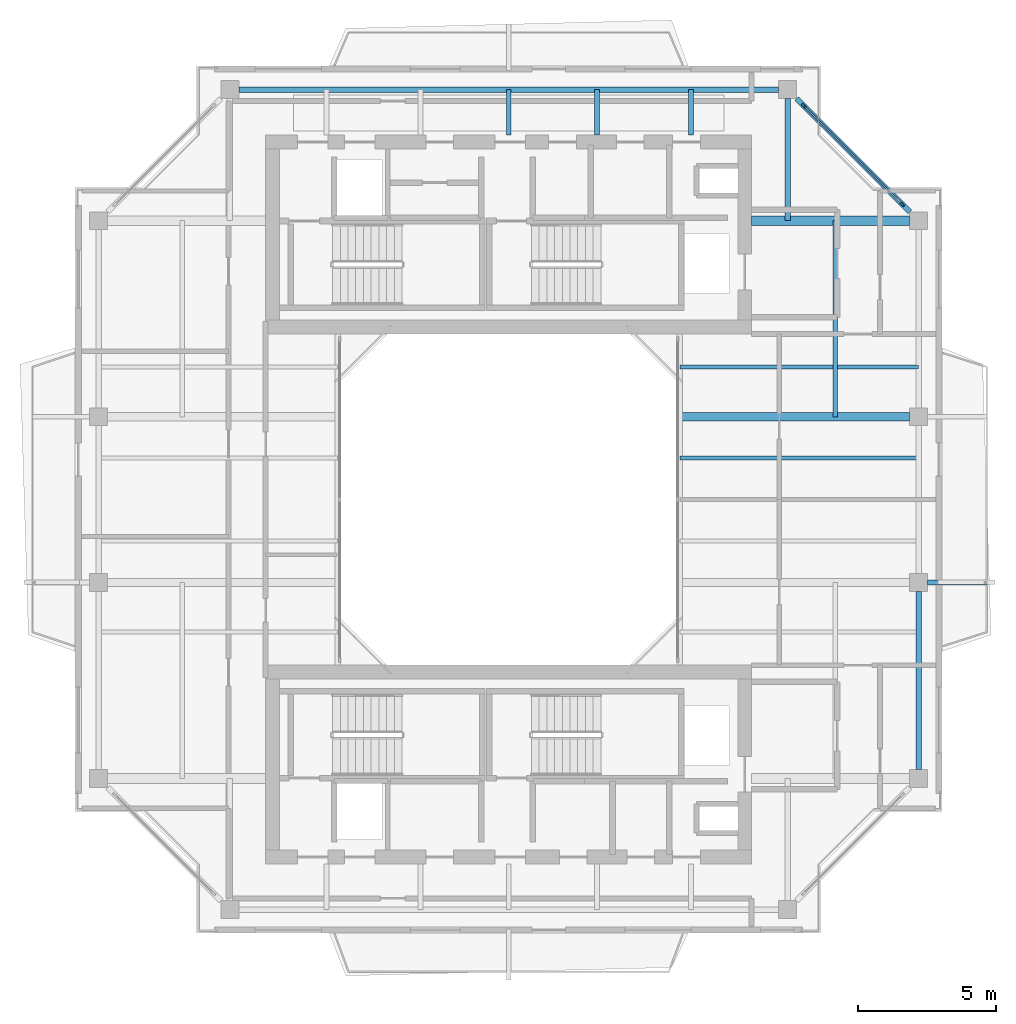
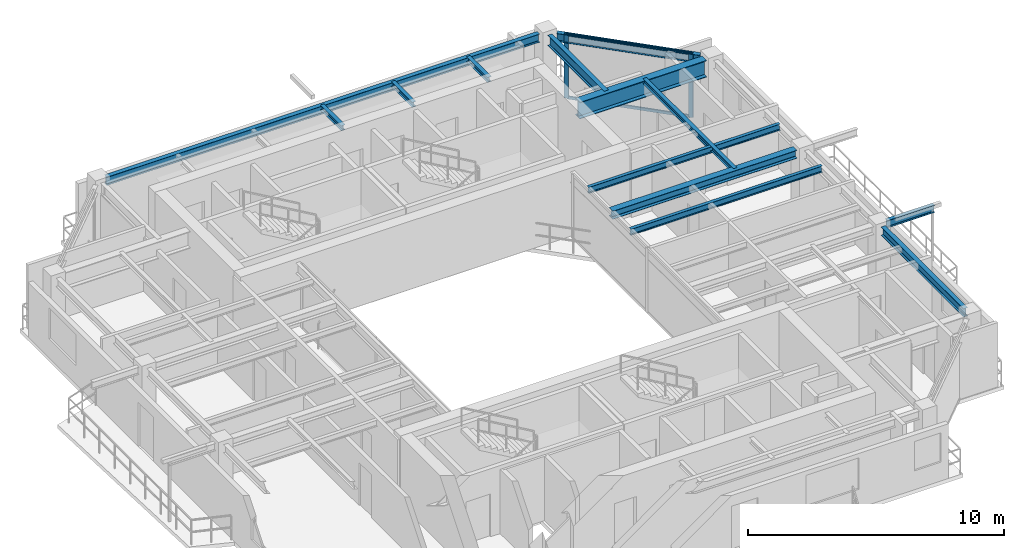
# One storey, part 6 of 14: 13 beams, 4 members, 1 element without a shape of its own.
"""IFC4 building model written with IfcOpenShell, lengths in metres."""

from ifc_helpers import new_model, si_unit, direction, frame, origin, origin_2d, place, context, subcontext, project, spatial, rectangle, i_section, extrude, source, transform, mapped, material, layer, layer_set, material_profile, profile_set, type_object, element, aggregate, save


model = new_model("IFC4")

# Units and contexts
model_context = context("Model", 3, precision=1e-05, world=origin(), true_north=direction((0.0, 1.0)))
body_context = subcontext(model_context, "Body", "Model", "MODEL_VIEW")
ifc_project = project(units=[si_unit("LENGTHUNIT", "METRE"), si_unit("AREAUNIT", "SQUARE_METRE"), si_unit("VOLUMEUNIT", "CUBIC_METRE"), si_unit("PLANEANGLEUNIT", "RADIAN"), si_unit("MASSUNIT", "GRAM", prefix="KILO"), si_unit("THERMODYNAMICTEMPERATUREUNIT", "KELVIN"), si_unit("POWERUNIT", "WATT")], contexts=[model_context])

# Site, building, storey
site_placement = place(None, origin())
site = spatial("IfcSite", under=ifc_project, at=site_placement, CompositionType="ELEMENT")
building_placement = place(site_placement, origin())
building = spatial("IfcBuilding", under=site, at=building_placement, Name="Qiaomeng Ring Towers", CompositionType="ELEMENT")
storey_placement = place(building_placement, frame((0.0, 0.0, 240.5)))
storey = spatial("IfcBuildingStorey", under=building, at=storey_placement, Name="L70", CompositionType="ELEMENT", Elevation=240.5)

# Beams
ifc_material_1 = material(Name="Steel Q355B", Category="steel")
ifc_material_profile_1 = material_profile(ifc_material_1, i_section(OverallWidth=0.198974609375, OverallDepth=0.39599609375, WebThickness=0.007080078125, FlangeThickness=0.010986328125, FilletRadius=0.01611328125, at=origin_2d()), Name="HN 396x199x7x11")
ifc_profile_set_1 = profile_set([ifc_material_profile_1], Name="Steel Q355B")
beam_type_1 = type_object("IfcBeamType", Name="STR-BM-HN396", PredefinedType="SPANDREL", material=ifc_profile_set_1)
shared_shape_1 = source(origin(), body_context, "Body", "SweptSolid", [
    extrude(i_section(OverallWidth=0.198974609375, OverallDepth=0.39599609375, WebThickness=0.007080078125, FlangeThickness=0.010986328125, FilletRadius=0.01611328125, at=origin_2d()), origin(), (0.0, 0.0, 1.0), 19.5517578125),
])
beam_1_placement = place(storey_placement, frame((28.77587890625, 37.85009765625, 2.8720703125), z_axis=(-1.0, 0.0, 0.0), x_axis=(0.0, -1.0, 0.0)))
element("IfcBeam", 1, at=beam_1_placement, inside=storey, type_object=beam_type_1, Name="L70 beam STR-SP-L70-T1-N2-N1", PredefinedType="SPANDREL", context=body_context, shape_type="MappedRepresentation", body=[
    mapped(shared_shape_1, transform((0.0, 0.0, 0.0), x_axis=(1.0, 0.0, 0.0), y_axis=(0.0, 1.0, 0.0), z_axis=(0.0, 0.0, 1.0), scale=1.0)),
])
shared_shape_2 = source(origin(), body_context, "Body", "SweptSolid", [
    extrude(i_section(OverallWidth=0.198974609375, OverallDepth=0.39599609375, WebThickness=0.007080078125, FlangeThickness=0.010986328125, FilletRadius=0.01611328125, at=origin_2d()), origin(), (0.0, 0.0, 1.0), 5.800048828125),
])
beam_2_placement = place(storey_placement, frame((33.525634765625, 33.42431640625, 2.8720703125), z_axis=(-0.707106781187, 0.707106781187, 0.0), x_axis=(-0.707106781187, -0.707106781187, 0.0)))
element("IfcBeam", 2, at=beam_2_placement, inside=storey, type_object=beam_type_1, Name="L70 beam STR-SP-L70-T1-E4-N2", PredefinedType="SPANDREL", context=body_context, shape_type="MappedRepresentation", body=[
    mapped(shared_shape_2, transform((0.0, 0.0, 0.0), x_axis=(1.0, 0.0, 0.0), y_axis=(0.0, 1.0, 0.0), z_axis=(0.0, 0.0, 1.0), scale=1.0)),
])
shared_shape_3 = source(origin(), body_context, "Body", "SweptSolid", [
    extrude(i_section(OverallWidth=0.198974609375, OverallDepth=0.39599609375, WebThickness=0.007080078125, FlangeThickness=0.010986328125, FilletRadius=0.01611328125, at=origin_2d()), origin(), (0.0, 0.0, 1.0), 6.451904296875),
])
beam_3_placement = place(storey_placement, frame((33.85009765625, 13.22412109375, 2.8720703125), z_axis=(0.0, 1.0, 0.0), x_axis=(-1.0, 0.0, 0.0)))
element("IfcBeam", 3, at=beam_3_placement, inside=storey, type_object=beam_type_1, Name="L70 beam STR-SP-L70-T1-E1-E2", PredefinedType="SPANDREL", context=body_context, shape_type="MappedRepresentation", body=[
    mapped(shared_shape_3, transform((0.0, 0.0, 0.0), x_axis=(1.0, 0.0, 0.0), y_axis=(0.0, 1.0, 0.0), z_axis=(0.0, 0.0, 1.0), scale=1.0)),
])
ifc_material_2 = material(Name="Steel Q390GJC", Category="steel")
ifc_material_profile_2 = material_profile(ifc_material_2, i_section(OverallWidth=0.35009765625, OverallDepth=0.800048828125, WebThickness=0.01611328125, FlangeThickness=0.028076171875, at=origin_2d()), Name="WH 800x350x16x28")
ifc_profile_set_2 = profile_set([ifc_material_profile_2], Name="Steel Q390GJC")
beam_type_2 = type_object("IfcBeamType", Name="STR-BM-WH800", PredefinedType="BEAM", material=ifc_profile_set_2)
shared_shape_4 = source(origin(), body_context, "Body", "SweptSolid", [
    extrude(i_section(OverallWidth=0.35009765625, OverallDepth=0.800048828125, WebThickness=0.01611328125, FlangeThickness=0.028076171875, at=origin_2d()), origin(), (0.0, 0.0, 1.0), 5.725830078125),
])
beam_4_placement = place(storey_placement, frame((27.800048828125, 33.10009765625, 2.669921875), z_axis=(1.0, 0.0, 0.0), x_axis=(0.0, 1.0, 0.0)))
element("IfcBeam", 4, at=beam_4_placement, inside=storey, type_object=beam_type_2, Name="L70 beam STR-BM-L70-T1-RAD-E4", PredefinedType="BEAM", context=body_context, shape_type="MappedRepresentation", body=[
    mapped(shared_shape_4, transform((0.0, 0.0, 0.0), x_axis=(1.0, 0.0, 0.0), y_axis=(0.0, 1.0, 0.0), z_axis=(0.0, 0.0, 1.0), scale=1.0)),
])
ifc_material_profile_3 = material_profile(ifc_material_1, i_section(OverallWidth=0.198974609375, OverallDepth=0.49609375, WebThickness=0.009033203125, FlangeThickness=0.013916015625, FilletRadius=0.01806640625, at=origin_2d()), Name="HN 496x199x9x14")
ifc_profile_set_3 = profile_set([ifc_material_profile_3], Name="Steel Q355B")
beam_type_3 = type_object("IfcBeamType", Name="STR-BM-HN496", PredefinedType="BEAM", material=ifc_profile_set_3)
shared_shape_5 = source(origin(), body_context, "Body", "SweptSolid", [
    extrude(i_section(OverallWidth=0.198974609375, OverallDepth=0.49609375, WebThickness=0.009033203125, FlangeThickness=0.013916015625, FilletRadius=0.01806640625, at=origin_2d()), origin(), (0.0, 0.0, 1.0), 4.42578125),
])
beam_5_placement = place(storey_placement, frame((29.10009765625, 37.52587890625, 2.822021484375), z_axis=(0.0, -1.0, 0.0), x_axis=(1.0, 0.0, 0.0)))
element("IfcBeam", 5, at=beam_5_placement, inside=storey, type_object=beam_type_3, Name="L70 beam STR-BM-L70-T1-RAD-N2", PredefinedType="BEAM", context=body_context, shape_type="MappedRepresentation", body=[
    mapped(shared_shape_5, transform((0.0, 0.0, 0.0), x_axis=(1.0, 0.0, 0.0), y_axis=(0.0, 1.0, 0.0), z_axis=(0.0, 0.0, 1.0), scale=1.0)),
])
ifc_material_profile_4 = material_profile(ifc_material_1, i_section(OverallWidth=0.300048828125, OverallDepth=0.389892578125, WebThickness=0.010009765625, FlangeThickness=0.01611328125, FilletRadius=0.02197265625, at=origin_2d()), Name="HM 390x300x10x16")
ifc_profile_set_4 = profile_set([ifc_material_profile_4], Name="Steel Q355B")
beam_type_4 = type_object("IfcBeamType", Name="STR-BM-HM390", PredefinedType="BEAM", material=ifc_profile_set_4)
shared_shape_6 = source(origin(), body_context, "Body", "SweptSolid", [
    extrude(i_section(OverallWidth=0.300048828125, OverallDepth=0.389892578125, WebThickness=0.010009765625, FlangeThickness=0.01611328125, FilletRadius=0.02197265625, at=origin_2d()), origin(), (0.0, 0.0, 1.0), 8.325927734375),
])
beam_6_placement = place(storey_placement, frame((25.199951171875, 26.0, 2.875), z_axis=(1.0, 0.0, 0.0), x_axis=(0.0, 1.0, 0.0)))
element("IfcBeam", 6, at=beam_6_placement, inside=storey, type_object=beam_type_4, Name="L70 beam STR-BM-L70-T1-RAD-E3", PredefinedType="BEAM", context=body_context, shape_type="MappedRepresentation", body=[
    mapped(shared_shape_6, transform((0.0, 0.0, 0.0), x_axis=(1.0, 0.0, 0.0), y_axis=(0.0, 1.0, 0.0), z_axis=(0.0, 0.0, 1.0), scale=1.0)),
])
ifc_material_profile_5 = material_profile(ifc_material_1, i_section(OverallWidth=0.175048828125, OverallDepth=0.35009765625, WebThickness=0.007080078125, FlangeThickness=0.010986328125, FilletRadius=0.013916015625, at=origin_2d()), Name="HN 350x175x7x11")
ifc_profile_set_5 = profile_set([ifc_material_profile_5], Name="Steel Q355B")
beam_type_5 = type_object("IfcBeamType", Name="STR-BM-HN350", PredefinedType="JOIST", material=ifc_profile_set_5)
shared_shape_7 = source(origin(), body_context, "Body", "SweptSolid", [
    extrude(i_section(OverallWidth=0.175048828125, OverallDepth=0.35009765625, WebThickness=0.007080078125, FlangeThickness=0.010986328125, FilletRadius=0.013916015625, at=origin_2d()), origin(), (0.0, 0.0, 1.0), 2.14599609375),
])
beam_7_placement = place(storey_placement, frame((34.174072265625, 20.0, 2.89501953125), z_axis=(1.0, 0.0, 0.0), x_axis=(0.0, 1.0, 0.0)))
element("IfcBeam", 7, at=beam_7_placement, inside=storey, type_object=beam_type_5, Name="L70 beam STR-BALBM-L70-E2", PredefinedType="JOIST", context=body_context, shape_type="MappedRepresentation", body=[
    mapped(shared_shape_7, transform((0.0, 0.0, 0.0), x_axis=(1.0, 0.0, 0.0), y_axis=(0.0, 1.0, 0.0), z_axis=(0.0, 0.0, 1.0), scale=1.0)),
])
ifc_material_profile_6 = material_profile(ifc_material_1, i_section(OverallWidth=0.175048828125, OverallDepth=0.243896484375, WebThickness=0.007080078125, FlangeThickness=0.010986328125, FilletRadius=0.01611328125, at=origin_2d()), Name="HM 244x175x7x11")
ifc_profile_set_6 = profile_set([ifc_material_profile_6], Name="Steel Q355B")
beam_type_6 = type_object("IfcBeamType", Name="STR-BM-HM244", PredefinedType="JOIST", material=ifc_profile_set_6)
shared_shape_8 = source(origin(), body_context, "Body", "SweptSolid", [
    extrude(i_section(OverallWidth=0.175048828125, OverallDepth=0.243896484375, WebThickness=0.007080078125, FlangeThickness=0.010986328125, FilletRadius=0.01611328125, at=origin_2d()), origin(), (0.0, 0.0, 1.0), 1.650146484375),
])
for number, where, z_axis, x_axis, name in (
    (8, (19.0, 36.199951171875, 2.947998046875), (0.0, 1.0, 0.0), (-1.0, 0.0, 0.0), "L70 beam STR-JST-L70-T1N-3"),
    (9, (22.199951171875, 36.199951171875, 2.947998046875), (0.0, 1.0, 0.0), (-1.0, 0.0, 0.0), "L70 beam STR-JST-L70-T1N-4"),
    (10, (25.60009765625, 36.199951171875, 2.947998046875), (0.0, 1.0, 0.0), (-1.0, 0.0, 0.0), "L70 beam STR-JST-L70-T1N-5"),
):
    element("IfcBeam", number, at=place(storey_placement, frame(where, z_axis=z_axis, x_axis=x_axis)), inside=storey, type_object=beam_type_6, Name=name, PredefinedType="JOIST", context=body_context, shape_type="MappedRepresentation", body=[
        mapped(shared_shape_8, transform((0.0, 0.0, 0.0), x_axis=(1.0, 0.0, 0.0), y_axis=(0.0, 1.0, 0.0), z_axis=(0.0, 0.0, 1.0), scale=1.0)),
    ])
ifc_material_profile_7 = material_profile(ifc_material_1, i_section(OverallWidth=0.14990234375, OverallDepth=0.300048828125, WebThickness=0.006591796875, FlangeThickness=0.009033203125, FilletRadius=0.012939453125, at=origin_2d()), Name="HN 300x150x6.5x9")
ifc_profile_set_7 = profile_set([ifc_material_profile_7], Name="Steel Q355B")
beam_type_7 = type_object("IfcBeamType", Name="STR-BM-HN300", PredefinedType="JOIST", material=ifc_profile_set_7)
shared_shape_9 = source(origin(), body_context, "Body", "SweptSolid", [
    extrude(i_section(OverallWidth=0.14990234375, OverallDepth=0.300048828125, WebThickness=0.006591796875, FlangeThickness=0.009033203125, FilletRadius=0.012939453125, at=origin_2d()), origin(), (0.0, 0.0, 1.0), 8.650146484375),
])
for number, where, z_axis, x_axis, name in (
    (11, (25.199951171875, 24.5, 2.919921875), (1.0, 0.0, 0.0), (0.0, 1.0, 0.0), "L70 beam STR-JST-L70-T1E-3"),
    (12, (25.199951171875, 27.800048828125, 2.919921875), (1.0, 0.0, 0.0), (0.0, 1.0, 0.0), "L70 beam STR-JST-L70-T1E-4"),
):
    element("IfcBeam", number, at=place(storey_placement, frame(where, z_axis=z_axis, x_axis=x_axis)), inside=storey, type_object=beam_type_7, Name=name, PredefinedType="JOIST", context=body_context, shape_type="MappedRepresentation", body=[
        mapped(shared_shape_9, transform((0.0, 0.0, 0.0), x_axis=(1.0, 0.0, 0.0), y_axis=(0.0, 1.0, 0.0), z_axis=(0.0, 0.0, 1.0), scale=1.0)),
    ])
shared_shape_10 = source(origin(), body_context, "Body", "SweptSolid", [
    extrude(i_section(OverallWidth=0.175048828125, OverallDepth=0.243896484375, WebThickness=0.007080078125, FlangeThickness=0.010986328125, FilletRadius=0.01611328125, at=origin_2d()), origin(), (0.0, 0.0, 1.0), 7.10009765625),
])
beam_8_placement = place(storey_placement, frame((30.824951171875, 26.0, 2.947998046875), z_axis=(0.0, 1.0, 0.0), x_axis=(-1.0, 0.0, 0.0)))
element("IfcBeam", 13, at=beam_8_placement, inside=storey, type_object=beam_type_6, Name="L70 beam STR-JST-L70-T1C-EN", PredefinedType="JOIST", context=body_context, shape_type="MappedRepresentation", body=[
    mapped(shared_shape_10, transform((0.0, 0.0, 0.0), x_axis=(1.0, 0.0, 0.0), y_axis=(0.0, 1.0, 0.0), z_axis=(0.0, 0.0, 1.0), scale=1.0)),
])

# Curtain wall, members
ifc_material_3 = material(Name="Fluorocarbon dark-grey aluminium", Category="aluminium")
ifc_layer = layer(ifc_material_3, 0.14990234375, Name="Fluorocarbon dark-grey aluminium")
ifc_layer_set = layer_set([ifc_layer], Name="Fluorocarbon dark-grey aluminium")
curtain_wall_type = type_object("IfcCurtainWallType", Name="ARC-CW-3", PredefinedType="NOTDEFINED", material=ifc_layer_set)
curtain_wall_placement = place(storey_placement, origin())
curtain_wall = element("IfcCurtainWall", 14, at=curtain_wall_placement, inside=storey, type_object=curtain_wall_type, Name="L70 Curtain Wall CW3", PredefinedType="NOTDEFINED")
ifc_material_profile_8 = material_profile(ifc_material_3, rectangle(XDim=0.070068359375, YDim=0.179931640625, at=origin_2d()), Name="ALU MULL 70x180")
ifc_profile_set_8 = profile_set([ifc_material_profile_8], Name="Fluorocarbon dark-grey aluminium")
member_type_1 = type_object("IfcMemberType", Name="ARC-CWM-160", PredefinedType="MULLION", material=ifc_profile_set_8)
shared_shape_11 = source(origin(), body_context, "Body", "SweptSolid", [
    extrude(rectangle(XDim=0.070068359375, YDim=0.179931640625, at=origin_2d()), origin(), (0.0, 0.0, 1.0), 3.070068359375),
])
member_1_placement = place(storey_placement, frame((33.26025390625, 33.689697265625, 0.0), z_axis=(0.0, 0.0, 1.0), x_axis=(-0.707106781187, -0.707106781187, 0.0)))
member_1 = element("IfcMember", 15, at=member_1_placement, type_object=member_type_1, Name="CW3 mullion 1", PredefinedType="MULLION", context=body_context, shape_type="MappedRepresentation", body=[
    mapped(shared_shape_11, transform((0.0, 0.0, 0.0), x_axis=(1.0, 0.0, 0.0), y_axis=(0.0, 1.0, 0.0), z_axis=(0.0, 0.0, 1.0), scale=1.0)),
])
member_2_placement = place(storey_placement, frame((29.689697265625, 37.26025390625, 0.0), z_axis=(0.0, 0.0, 1.0), x_axis=(-0.707106781187, -0.707106781187, 0.0)))
member_2 = element("IfcMember", 16, at=member_2_placement, type_object=member_type_1, Name="CW3 mullion 2", PredefinedType="MULLION", context=body_context, shape_type="MappedRepresentation", body=[
    mapped(shared_shape_11, transform((0.0, 0.0, 0.0), x_axis=(1.0, 0.0, 0.0), y_axis=(0.0, 1.0, 0.0), z_axis=(0.0, 0.0, 1.0), scale=1.0)),
])
ifc_material_profile_9 = material_profile(ifc_material_3, rectangle(XDim=0.06494140625, YDim=0.1298828125, at=origin_2d()), Name="ALU TRAN 65x130")
ifc_profile_set_9 = profile_set([ifc_material_profile_9], Name="Fluorocarbon dark-grey aluminium")
member_type_2 = type_object("IfcMemberType", Name="ARC-CWT-120", PredefinedType="USERDEFINED", material=ifc_profile_set_9)
shared_shape_12 = source(origin(), body_context, "Body", "SweptSolid", [
    extrude(rectangle(XDim=0.06494140625, YDim=0.1298828125, at=origin_2d()), origin(), (0.0, 0.0, 1.0), 4.9794921875),
])
member_3_placement = place(storey_placement, frame((33.235595703125, 33.714599609375, 0.032470703125), z_axis=(-0.707106781187, 0.707106781187, 0.0), x_axis=(-0.707106781187, -0.707106781187, 0.0)))
member_3 = element("IfcMember", 17, at=member_3_placement, type_object=member_type_2, Name="CW3 transom 1.1", ObjectType="TRANSOM", PredefinedType="USERDEFINED", context=body_context, shape_type="MappedRepresentation", body=[
    mapped(shared_shape_12, transform((0.0, 0.0, 0.0), x_axis=(1.0, 0.0, 0.0), y_axis=(0.0, 1.0, 0.0), z_axis=(0.0, 0.0, 1.0), scale=1.0)),
])
member_4_placement = place(storey_placement, frame((33.235595703125, 33.714599609375, 3.03759765625), z_axis=(-0.707106781187, 0.707106781187, 0.0), x_axis=(-0.707106781187, -0.707106781187, 0.0)))
member_4 = element("IfcMember", 18, at=member_4_placement, type_object=member_type_2, Name="CW3 transom 1.2", ObjectType="TRANSOM", PredefinedType="USERDEFINED", context=body_context, shape_type="MappedRepresentation", body=[
    mapped(shared_shape_12, transform((0.0, 0.0, 0.0), x_axis=(1.0, 0.0, 0.0), y_axis=(0.0, 1.0, 0.0), z_axis=(0.0, 0.0, 1.0), scale=1.0)),
])
aggregate(curtain_wall, [member_1, member_2, member_3, member_4])

save(model, "model.ifc")
